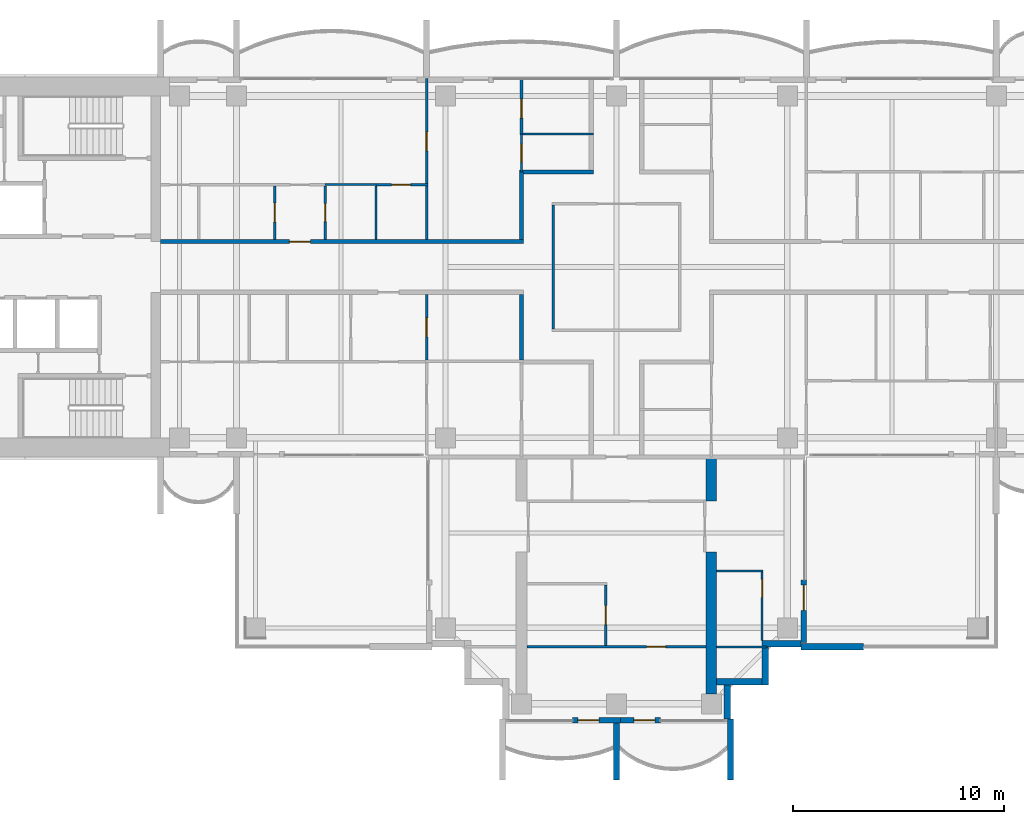
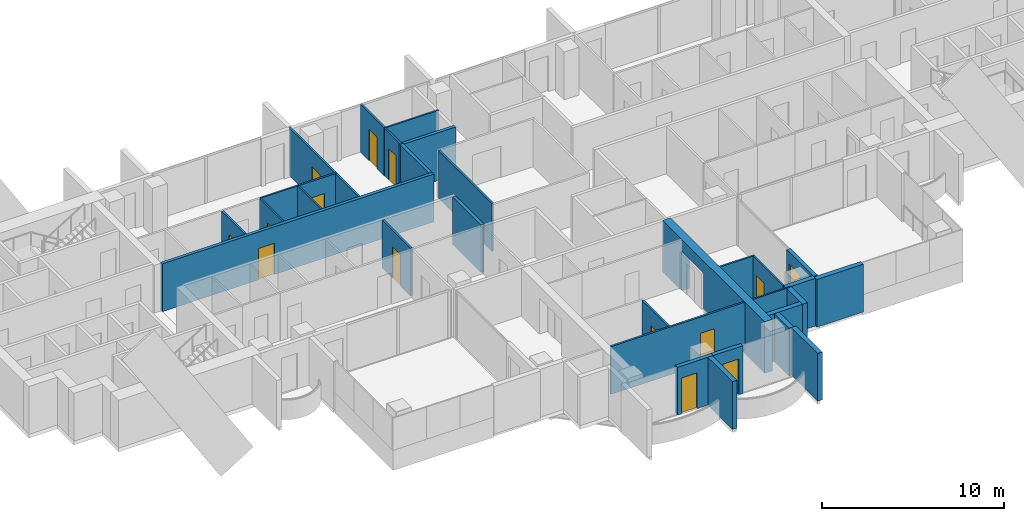
# One storey, part 10 of 18: 31 walls, 14 doors, 14 openings.
"""IFC4 building model written with IfcOpenShell, lengths in metres."""

from ifc_helpers import new_model, si_unit, direction, frame, frame_2d, origin, place, context, subcontext, project, spatial, polyline, rectangle, outline, extrude, material, layer, layer_set, material_profile, profile_set, type_object, element, fill, save


model = new_model("IFC4")

# Units and contexts
model_context = context("Model", 3, precision=1e-05, world=origin(), true_north=direction((0.0, 1.0)))
body_context = subcontext(model_context, "Body", "Model", "MODEL_VIEW")
ifc_project = project(units=[si_unit("LENGTHUNIT", "METRE"), si_unit("AREAUNIT", "SQUARE_METRE"), si_unit("VOLUMEUNIT", "CUBIC_METRE"), si_unit("PLANEANGLEUNIT", "RADIAN"), si_unit("MASSUNIT", "GRAM", prefix="KILO")], contexts=[model_context])

# Site, building, storey
site_placement = place(None, origin())
site = spatial("IfcSite", under=ifc_project, at=site_placement, CompositionType="ELEMENT")
building_placement = place(site_placement, origin())
building = spatial("IfcBuilding", under=site, at=building_placement, Name="Perihelion Cross Residences", CompositionType="ELEMENT")
storey_placement = place(building_placement, frame((0.0, 0.0, 219.10009765625)))
storey = spatial("IfcBuildingStorey", under=building, at=storey_placement, Name="L55", CompositionType="ELEMENT", Elevation=219.10009765625)

# Wall, opening, door
ifc_material_1 = material(Name="Plasterboard partition")
ifc_layer_1 = layer(ifc_material_1, 0.199951171875)
ifc_layer_set_1 = layer_set([ifc_layer_1], Name="Apartment separation wall 200")
wall_type_1 = type_object("IfcWallType", Name="Apartment separation wall 200", PredefinedType="PARTITIONING", material=ifc_layer_set_1)
wall_1_placement = place(storey_placement, frame((-21.60009765625, 1.199951171875, 0.0), z_axis=(0.0, 0.0, 1.0), x_axis=(1.0, 0.0, 0.0)))
wall_1 = element("IfcWall", 1, at=wall_1_placement, inside=storey, type_object=wall_type_1, Name="Partition L55 W013", PredefinedType="PARTITIONING", context=body_context, shape_type="SweptSolid", body=[
    extrude(rectangle(XDim=17.2001953125, YDim=0.199951171875, at=frame_2d((8.60009765625, 0.0))), origin(), (0.0, 0.0, 1.0), 3.199951171875),
])
opening_1_placement = place(wall_1_placement, frame((6.10009765625, 0.0, 0.0)))
opening_1 = element("IfcOpeningElement", 2, at=opening_1_placement, cuts=wall_1, Name="Opening L55.A43", PredefinedType="OPENING", context=body_context, shape_type="SweptSolid", body=[
    extrude(rectangle(XDim=1.0, YDim=2.10009765625, at=frame_2d((0.5, 1.050048828125))), frame((0.0, 0.10986328125, 0.0), z_axis=(0.0, -1.0, 0.0), x_axis=(1.0, 0.0, 0.0)), (0.0, 0.0, 1.0), 0.219970703125),
])
ifc_material_2 = material(Name="Timber door leaf", Category="wood")
door_type_1 = type_object("IfcDoorType", Name="Flat entrance door 1000 x 2100", OperationType="SINGLE_SWING_LEFT", PredefinedType="DOOR", material=ifc_material_2)
door_1_placement = place(opening_1_placement, origin())
door_1 = element("IfcDoor", 3, at=door_1_placement, inside=storey, type_object=door_type_1, Name="Door L55.A43", OperationType="SINGLE_SWING_LEFT", OverallHeight=2.10009765625, OverallWidth=1.0, PredefinedType="DOOR", context=body_context, shape_type="SweptSolid", body=[
    extrude(rectangle(XDim=1.0, YDim=2.10009765625, at=frame_2d((0.5, 1.050048828125))), frame((0.0, 0.02490234375, 0.0), z_axis=(0.0, -1.0, 0.0), x_axis=(1.0, 0.0, 0.0)), (0.0, 0.0, 1.0), 0.050048828125),
])
fill(opening_1, door_1)

# Walls
wall_2_placement = place(storey_placement, frame((-4.5, 1.300048828125, 0.0), z_axis=(0.0, 0.0, 1.0), x_axis=(0.0, 1.0, 0.0)))
element("IfcWall", 4, at=wall_2_placement, inside=storey, type_object=wall_type_1, Name="Partition L55 W014", PredefinedType="PARTITIONING", context=body_context, shape_type="SweptSolid", body=[
    extrude(rectangle(XDim=3.199951171875, YDim=0.199951171875, at=frame_2d((1.60009765625, 0.0))), origin(), (0.0, 0.0, 1.0), 3.199951171875),
])
wall_3_placement = place(storey_placement, frame((-4.60009765625, 4.5, 0.0), z_axis=(0.0, 0.0, 1.0), x_axis=(1.0, 0.0, 0.0)))
element("IfcWall", 5, at=wall_3_placement, inside=storey, type_object=wall_type_1, Name="Partition L55 W015", PredefinedType="PARTITIONING", context=body_context, shape_type="SweptSolid", body=[
    extrude(rectangle(XDim=3.5, YDim=0.199951171875, at=frame_2d((1.75, 0.0))), origin(), (0.0, 0.0, 1.0), 3.199951171875),
])
wall_4_placement = place(storey_placement, frame((-4.5, -4.416015625, 0.0), z_axis=(0.0, 0.0, 1.0), x_axis=(0.0, 1.0, 0.0)))
element("IfcWall", 6, at=wall_4_placement, inside=storey, type_object=wall_type_1, Name="Partition L55 W018", PredefinedType="PARTITIONING", context=body_context, shape_type="SweptSolid", body=[
    extrude(rectangle(XDim=3.115966796875, YDim=0.199951171875, at=frame_2d((1.55810546875, 0.0))), origin(), (0.0, 0.0, 1.0), 3.199951171875),
])

# Wall, opening, door
ifc_material_3 = material(Name="Concrete C30/37, bronze-clad", Category="concrete")
ifc_layer_2 = layer(ifc_material_3, 0.25)
ifc_layer_set_2 = layer_set([ifc_layer_2], Name="Bronze-clad pier wall 250")
wall_type_2 = type_object("IfcWallType", Name="Bronze-clad pier wall 250", PredefinedType="SOLIDWALL", material=ifc_layer_set_2)
wall_5_placement = place(storey_placement, frame((-2.074951171875, -21.47509765625, 0.0), z_axis=(0.0, 0.0, 1.0), x_axis=(1.0, 0.0, 0.0)))
wall_5 = element("IfcWall", 7, at=wall_5_placement, inside=storey, type_object=wall_type_2, Name="Wall FW1 L55 south tip south bay 1 pier", PredefinedType="SOLIDWALL", context=body_context, shape_type="SweptSolid", body=[
    extrude(rectangle(XDim=2.27490234375, YDim=0.25, at=frame_2d((1.137451171875, 0.0))), origin(), (0.0, 0.0, 1.0), 3.199951171875),
])
opening_2_placement = place(wall_5_placement, frame((0.25, 0.0, 0.0)))
opening_2 = element("IfcOpeningElement", 8, at=opening_2_placement, cuts=wall_5, Name="Opening L55.E10", PredefinedType="OPENING", context=body_context, shape_type="SweptSolid", body=[
    extrude(rectangle(XDim=1.0, YDim=2.39990234375, at=frame_2d((0.5, 1.199951171875))), frame((0.0, 0.135009765625, 0.0), z_axis=(0.0, -1.0, 0.0), x_axis=(1.0, 0.0, 0.0)), (0.0, 0.0, 1.0), 0.27001953125),
])
ifc_material_4 = material(Name="Bronze anodised aluminium, glazed", Category="aluminium")
door_type_2 = type_object("IfcDoorType", Name="Balcony door 1000 x 2400", OperationType="NOTDEFINED", PredefinedType="DOOR", material=ifc_material_4)
door_2_placement = place(opening_2_placement, origin())
door_2 = element("IfcDoor", 9, at=door_2_placement, inside=storey, type_object=door_type_2, Name="Door L55.E10 south tip south bay 1", OperationType="SINGLE_SWING_RIGHT", OverallHeight=2.39990234375, OverallWidth=1.0, PredefinedType="DOOR", context=body_context, shape_type="SweptSolid", body=[
    extrude(rectangle(XDim=1.0, YDim=2.39990234375, at=frame_2d((0.5, 1.199951171875))), frame((0.0, 0.02490234375, 0.0), z_axis=(0.0, -1.0, 0.0), x_axis=(1.0, 0.0, 0.0)), (0.0, 0.0, 1.0), 0.050048828125),
])
fill(opening_2, door_2)

wall_6_placement = place(storey_placement, frame((0.199951171875, -21.47509765625, 0.0), z_axis=(0.0, 0.0, 1.0), x_axis=(1.0, 0.0, 0.0)))
wall_6 = element("IfcWall", 10, at=wall_6_placement, inside=storey, type_object=wall_type_2, Name="Wall FW1 L55 south tip south bay 2 pier", PredefinedType="SOLIDWALL", context=body_context, shape_type="SweptSolid", body=[
    extrude(rectangle(XDim=1.875, YDim=0.25, at=frame_2d((0.9375, 0.0))), origin(), (0.0, 0.0, 1.0), 3.199951171875),
])
opening_3_placement = place(wall_6_placement, frame((0.625, 0.0, 0.0)))
opening_3 = element("IfcOpeningElement", 11, at=opening_3_placement, cuts=wall_6, Name="Opening L55.E11", PredefinedType="OPENING", context=body_context, shape_type="SweptSolid", body=[
    extrude(rectangle(XDim=1.0, YDim=2.39990234375, at=frame_2d((0.5, 1.199951171875))), frame((0.0, 0.135009765625, 0.0), z_axis=(0.0, -1.0, 0.0), x_axis=(1.0, 0.0, 0.0)), (0.0, 0.0, 1.0), 0.27001953125),
])
door_3_placement = place(opening_3_placement, origin())
door_3 = element("IfcDoor", 12, at=door_3_placement, inside=storey, type_object=door_type_2, Name="Door L55.E11 south tip south bay 2", OperationType="SINGLE_SWING_LEFT", OverallHeight=2.39990234375, OverallWidth=1.0, PredefinedType="DOOR", context=body_context, shape_type="SweptSolid", body=[
    extrude(rectangle(XDim=1.0, YDim=2.39990234375, at=frame_2d((0.5, 1.199951171875))), frame((0.0, 0.02490234375, 0.0), z_axis=(0.0, -1.0, 0.0), x_axis=(1.0, 0.0, 0.0)), (0.0, 0.0, 1.0), 0.050048828125),
])
fill(opening_3, door_3)

wall_7_placement = place(storey_placement, frame((8.875, -17.800048828125, 0.0), z_axis=(0.0, 0.0, 1.0), x_axis=(0.0, 1.0, 0.0)))
wall_7 = element("IfcWall", 13, at=wall_7_placement, inside=storey, type_object=wall_type_2, Name="Wall FW1 L55 south side east bay 1 pier", PredefinedType="SOLIDWALL", context=body_context, shape_type="SweptSolid", body=[
    extrude(rectangle(XDim=2.97509765625, YDim=0.25, at=frame_2d((1.487548828125, 0.0))), origin(), (0.0, 0.0, 1.0), 3.199951171875),
])
opening_4_placement = place(wall_7_placement, frame((1.52490234375, 0.0, 0.0)))
opening_4 = element("IfcOpeningElement", 14, at=opening_4_placement, cuts=wall_7, Name="Opening L55.E12", PredefinedType="OPENING", context=body_context, shape_type="SweptSolid", body=[
    extrude(rectangle(XDim=1.199951171875, YDim=2.39990234375, at=frame_2d((0.60009765625, 1.199951171875))), frame((0.0, 0.135009765625, 0.0), z_axis=(0.0, -1.0, 0.0), x_axis=(1.0, 0.0, 0.0)), (0.0, 0.0, 1.0), 0.27001953125),
])
ifc_material_5 = material(Name="Bronze anodised aluminium, glazed", Category="aluminium")
door_type_3 = type_object("IfcDoorType", Name="Balcony door 1200 x 2400", OperationType="NOTDEFINED", PredefinedType="DOOR", material=ifc_material_5)
door_4_placement = place(opening_4_placement, origin())
door_4 = element("IfcDoor", 15, at=door_4_placement, inside=storey, type_object=door_type_3, Name="Door L55.E12 south side east bay 1", OperationType="SINGLE_SWING_RIGHT", OverallHeight=2.39990234375, OverallWidth=1.199951171875, PredefinedType="DOOR", context=body_context, shape_type="SweptSolid", body=[
    extrude(rectangle(XDim=1.199951171875, YDim=2.39990234375, at=frame_2d((0.60009765625, 1.199951171875))), frame((0.0, 0.02490234375, 0.0), z_axis=(0.0, -1.0, 0.0), x_axis=(1.0, 0.0, 0.0)), (0.0, 0.0, 1.0), 0.050048828125),
])
fill(opening_4, door_4)

# Walls
ifc_material_6 = material(Name="Concrete C30/37, bronze-clad", Category="concrete")
ifc_layer_3 = layer(ifc_material_6, 0.300048828125)
ifc_layer_set_3 = layer_set([ifc_layer_3], Name="Bronze-clad serration wall 300")
wall_type_3 = type_object("IfcWallType", Name="Bronze-clad serration wall 300", PredefinedType="SOLIDWALL", material=ifc_layer_set_3)
wall_8_placement = place(storey_placement, frame((5.25, -21.419921875, 0.0), z_axis=(0.0, 0.0, 1.0), x_axis=(0.0, 1.0, 0.0)))
element("IfcWall", 16, at=wall_8_placement, inside=storey, type_object=wall_type_3, Name="Wall SR1 L55 south corner south-east 1", PredefinedType="SOLIDWALL", context=body_context, shape_type="SweptSolid", body=[
    extrude(rectangle(XDim=1.619873046875, YDim=0.300048828125, at=frame_2d((0.81005859375, 0.0))), origin(), (0.0, 0.0, 1.0), 3.199951171875),
])
wall_9_placement = place(storey_placement, frame((4.75, -19.64990234375, 0.0), z_axis=(0.0, 0.0, 1.0), x_axis=(1.0, 0.0, 0.0)))
element("IfcWall", 17, at=wall_9_placement, inside=storey, type_object=wall_type_3, Name="Wall SR1 L55 south corner south-east 2", PredefinedType="SOLIDWALL", context=body_context, shape_type="SweptSolid", body=[
    extrude(rectangle(XDim=2.14990234375, YDim=0.300048828125, at=frame_2d((1.074951171875, 0.0))), origin(), (0.0, 0.0, 1.0), 3.199951171875),
])
wall_10_placement = place(storey_placement, frame((7.050048828125, -19.800048828125, 0.0), z_axis=(0.0, 0.0, 1.0), x_axis=(0.0, 1.0, 0.0)))
element("IfcWall", 18, at=wall_10_placement, inside=storey, type_object=wall_type_3, Name="Wall SR1 L55 south corner south-east 3", PredefinedType="SOLIDWALL", context=body_context, shape_type="SweptSolid", body=[
    extrude(rectangle(XDim=1.800048828125, YDim=0.300048828125, at=frame_2d((0.89990234375, 0.0))), origin(), (0.0, 0.0, 1.0), 3.199951171875),
])
wall_11_placement = place(storey_placement, frame((6.89990234375, -17.85009765625, 0.0), z_axis=(0.0, 0.0, 1.0), x_axis=(1.0, 0.0, 0.0)))
element("IfcWall", 19, at=wall_11_placement, inside=storey, type_object=wall_type_3, Name="Wall SR1 L55 south corner south-east 4", PredefinedType="SOLIDWALL", context=body_context, shape_type="SweptSolid", body=[
    extrude(rectangle(XDim=1.85009765625, YDim=0.300048828125, at=frame_2d((0.925048828125, 0.0))), origin(), (0.0, 0.0, 1.0), 3.199951171875),
])
ifc_material_7 = material(Name="Plasterboard partition")
ifc_layer_4 = layer(ifc_material_7, 0.1201171875)
ifc_layer_set_4 = layer_set([ifc_layer_4], Name="Partition wall 120")
wall_type_4 = type_object("IfcWallType", Name="Partition wall 120", PredefinedType="PARTITIONING", material=ifc_layer_set_4)
wall_12_placement = place(storey_placement, frame((-3.0, 2.93994140625, 0.0), z_axis=(0.0, 0.0, 1.0), x_axis=(0.0, -1.0, 0.0)))
element("IfcWall", 20, at=wall_12_placement, inside=storey, type_object=wall_type_4, Name="Partition L55 W004", PredefinedType="PARTITIONING", context=body_context, shape_type="SweptSolid", body=[
    extrude(rectangle(XDim=5.8798828125, YDim=0.1201171875, at=frame_2d((2.93994140625, 0.0))), origin(), (0.0, 0.0, 1.0), 3.199951171875),
])

# Wall, opening, door
wall_13_placement = place(storey_placement, frame((-11.39990234375, 3.89990234375, 0.0), z_axis=(0.0, 0.0, 1.0), x_axis=(1.0, 0.0, 0.0)))
wall_13 = element("IfcWall", 21, at=wall_13_placement, inside=storey, type_object=wall_type_4, Name="Partition L55 W048", PredefinedType="PARTITIONING", context=body_context, shape_type="SweptSolid", body=[
    extrude(rectangle(XDim=2.4599609375, YDim=0.1201171875, at=frame_2d((1.22998046875, 0.0))), origin(), (0.0, 0.0, 1.0), 3.199951171875),
])
opening_5_placement = place(wall_13_placement, frame((0.75, 0.0, 0.0)))
opening_5 = element("IfcOpeningElement", 22, at=opening_5_placement, cuts=wall_13, Name="Opening L55.A26", PredefinedType="OPENING", context=body_context, shape_type="SweptSolid", body=[
    extrude(rectangle(XDim=0.89990234375, YDim=2.10009765625, at=frame_2d((0.449951171875, 1.050048828125))), frame((0.0, 0.070068359375, 0.0), z_axis=(0.0, -1.0, 0.0), x_axis=(1.0, 0.0, 0.0)), (0.0, 0.0, 1.0), 0.14013671875),
])
ifc_material_8 = material(Name="Timber door leaf", Category="wood")
door_type_4 = type_object("IfcDoorType", Name="Interior room door 900 x 2100", OperationType="SINGLE_SWING_LEFT", PredefinedType="DOOR", material=ifc_material_8)
door_5_placement = place(opening_5_placement, origin())
door_5 = element("IfcDoor", 23, at=door_5_placement, inside=storey, type_object=door_type_4, Name="Door L55.A26", OperationType="SINGLE_SWING_LEFT", OverallHeight=2.10009765625, OverallWidth=0.89990234375, PredefinedType="DOOR", context=body_context, shape_type="SweptSolid", body=[
    extrude(rectangle(XDim=0.89990234375, YDim=2.10009765625, at=frame_2d((0.449951171875, 1.050048828125))), frame((0.0, 0.02490234375, 0.0), z_axis=(0.0, -1.0, 0.0), x_axis=(1.0, 0.0, 0.0)), (0.0, 0.0, 1.0), 0.050048828125),
])
fill(opening_5, door_5)

wall_14_placement = place(storey_placement, frame((-9.0, 8.919921875, 0.0), z_axis=(0.0, 0.0, 1.0), x_axis=(0.0, -1.0, 0.0)))
wall_14 = element("IfcWall", 24, at=wall_14_placement, inside=storey, type_object=wall_type_4, Name="Partition L55 W049", PredefinedType="PARTITIONING", context=body_context, shape_type="SweptSolid", body=[
    extrude(rectangle(XDim=7.619873046875, YDim=0.1201171875, at=frame_2d((3.81005859375, 0.0))), origin(), (0.0, 0.0, 1.0), 3.199951171875),
])
opening_6_placement = place(wall_14_placement, frame((2.52001953125, 0.0, 0.0)))
opening_6 = element("IfcOpeningElement", 25, at=opening_6_placement, cuts=wall_14, Name="Opening L55.A22", PredefinedType="OPENING", context=body_context, shape_type="SweptSolid", body=[
    extrude(rectangle(XDim=0.89990234375, YDim=2.10009765625, at=frame_2d((0.449951171875, 1.050048828125))), frame((0.0, 0.070068359375, 0.0), z_axis=(0.0, -1.0, 0.0), x_axis=(1.0, 0.0, 0.0)), (0.0, 0.0, 1.0), 0.14013671875),
])
door_6_placement = place(opening_6_placement, origin())
door_6 = element("IfcDoor", 26, at=door_6_placement, inside=storey, type_object=door_type_4, Name="Door L55.A22", OperationType="SINGLE_SWING_RIGHT", OverallHeight=2.10009765625, OverallWidth=0.89990234375, PredefinedType="DOOR", context=body_context, shape_type="SweptSolid", body=[
    extrude(rectangle(XDim=0.89990234375, YDim=2.10009765625, at=frame_2d((0.449951171875, 1.050048828125))), frame((0.0, 0.02490234375, 0.0), z_axis=(0.0, -1.0, 0.0), x_axis=(1.0, 0.0, 0.0)), (0.0, 0.0, 1.0), 0.050048828125),
])
fill(opening_6, door_6)

wall_15_placement = place(storey_placement, frame((-16.199951171875, 1.300048828125, 0.0), z_axis=(0.0, 0.0, 1.0), x_axis=(0.0, 1.0, 0.0)))
wall_15 = element("IfcWall", 27, at=wall_15_placement, inside=storey, type_object=wall_type_4, Name="Partition L55 W052", PredefinedType="PARTITIONING", context=body_context, shape_type="SweptSolid", body=[
    extrude(rectangle(XDim=2.5400390625, YDim=0.1201171875, at=frame_2d((1.27001953125, 0.0))), origin(), (0.0, 0.0, 1.0), 3.199951171875),
])
opening_7_placement = place(wall_15_placement, frame((0.820068359375, 0.0, 0.0)))
opening_7 = element("IfcOpeningElement", 28, at=opening_7_placement, cuts=wall_15, Name="Opening L55.A20", PredefinedType="OPENING", context=body_context, shape_type="SweptSolid", body=[
    extrude(rectangle(XDim=0.89990234375, YDim=2.10009765625, at=frame_2d((0.449951171875, 1.050048828125))), frame((0.0, 0.070068359375, 0.0), z_axis=(0.0, -1.0, 0.0), x_axis=(1.0, 0.0, 0.0)), (0.0, 0.0, 1.0), 0.14013671875),
])
door_7_placement = place(opening_7_placement, origin())
door_7 = element("IfcDoor", 29, at=door_7_placement, inside=storey, type_object=door_type_4, Name="Door L55.A20", OperationType="SINGLE_SWING_LEFT", OverallHeight=2.10009765625, OverallWidth=0.89990234375, PredefinedType="DOOR", context=body_context, shape_type="SweptSolid", body=[
    extrude(rectangle(XDim=0.89990234375, YDim=2.10009765625, at=frame_2d((0.449951171875, 1.050048828125))), frame((0.0, 0.02490234375, 0.0), z_axis=(0.0, -1.0, 0.0), x_axis=(1.0, 0.0, 0.0)), (0.0, 0.0, 1.0), 0.050048828125),
])
fill(opening_7, door_7)

wall_16_placement = place(storey_placement, frame((-4.5, 8.919921875, 0.0), z_axis=(0.0, 0.0, 1.0), x_axis=(0.0, -1.0, 0.0)))
wall_16 = element("IfcWall", 30, at=wall_16_placement, inside=storey, type_object=wall_type_4, Name="Partition L55 W056", PredefinedType="PARTITIONING", context=body_context, shape_type="SweptSolid", body=[
    extrude(rectangle(XDim=2.619873046875, YDim=0.1201171875, at=frame_2d((1.31005859375, 0.0))), origin(), (0.0, 0.0, 1.0), 3.199951171875),
])
opening_8_placement = place(wall_16_placement, frame((0.969970703125, 0.0, 0.0)))
opening_8 = element("IfcOpeningElement", 31, at=opening_8_placement, cuts=wall_16, Name="Opening L55.A23", PredefinedType="OPENING", context=body_context, shape_type="SweptSolid", body=[
    extrude(rectangle(XDim=0.89990234375, YDim=2.10009765625, at=frame_2d((0.449951171875, 1.050048828125))), frame((0.0, 0.070068359375, 0.0), z_axis=(0.0, -1.0, 0.0), x_axis=(1.0, 0.0, 0.0)), (0.0, 0.0, 1.0), 0.14013671875),
])
door_8_placement = place(opening_8_placement, origin())
door_8 = element("IfcDoor", 32, at=door_8_placement, inside=storey, type_object=door_type_4, Name="Door L55.A23", OperationType="SINGLE_SWING_LEFT", OverallHeight=2.10009765625, OverallWidth=0.89990234375, PredefinedType="DOOR", context=body_context, shape_type="SweptSolid", body=[
    extrude(rectangle(XDim=0.89990234375, YDim=2.10009765625, at=frame_2d((0.449951171875, 1.050048828125))), frame((0.0, 0.02490234375, 0.0), z_axis=(0.0, -1.0, 0.0), x_axis=(1.0, 0.0, 0.0)), (0.0, 0.0, 1.0), 0.050048828125),
])
fill(opening_8, door_8)

wall_17_placement = place(storey_placement, frame((-9.0, -1.300048828125, 0.0), z_axis=(0.0, 0.0, 1.0), x_axis=(0.0, -1.0, 0.0)))
wall_17 = element("IfcWall", 33, at=wall_17_placement, inside=storey, type_object=wall_type_4, Name="Partition L55 W060", PredefinedType="PARTITIONING", context=body_context, shape_type="SweptSolid", body=[
    extrude(rectangle(XDim=3.115966796875, YDim=0.1201171875, at=frame_2d((1.55810546875, 0.0))), origin(), (0.0, 0.0, 1.0), 3.199951171875),
])
opening_9_placement = place(wall_17_placement, frame((1.10791015625, 0.0, 0.0)))
opening_9 = element("IfcOpeningElement", 34, at=opening_9_placement, cuts=wall_17, Name="Opening L55.A30", PredefinedType="OPENING", context=body_context, shape_type="SweptSolid", body=[
    extrude(rectangle(XDim=0.89990234375, YDim=2.10009765625, at=frame_2d((0.449951171875, 1.050048828125))), frame((0.0, 0.070068359375, 0.0), z_axis=(0.0, -1.0, 0.0), x_axis=(1.0, 0.0, 0.0)), (0.0, 0.0, 1.0), 0.14013671875),
])
door_9_placement = place(opening_9_placement, origin())
door_9 = element("IfcDoor", 35, at=door_9_placement, inside=storey, type_object=door_type_4, Name="Door L55.A30", OperationType="SINGLE_SWING_RIGHT", OverallHeight=2.10009765625, OverallWidth=0.89990234375, PredefinedType="DOOR", context=body_context, shape_type="SweptSolid", body=[
    extrude(rectangle(XDim=0.89990234375, YDim=2.10009765625, at=frame_2d((0.449951171875, 1.050048828125))), frame((0.0, 0.02490234375, 0.0), z_axis=(0.0, -1.0, 0.0), x_axis=(1.0, 0.0, 0.0)), (0.0, 0.0, 1.0), 0.050048828125),
])
fill(opening_9, door_9)

wall_18_placement = place(storey_placement, frame((-0.5, -17.93994140625, 0.0), z_axis=(0.0, 0.0, 1.0), x_axis=(0.0, 1.0, 0.0)))
wall_18 = element("IfcWall", 36, at=wall_18_placement, inside=storey, type_object=wall_type_4, Name="Partition L55 W072", PredefinedType="PARTITIONING", context=body_context, shape_type="SweptSolid", body=[
    extrude(rectangle(XDim=2.8798828125, YDim=0.1201171875, at=frame_2d((1.43994140625, 0.0))), origin(), (0.0, 0.0, 1.0), 3.199951171875),
])
opening_10_placement = place(wall_18_placement, frame((0.989990234375, 0.0, 0.0)))
opening_10 = element("IfcOpeningElement", 37, at=opening_10_placement, cuts=wall_18, Name="Opening L55.A38", PredefinedType="OPENING", context=body_context, shape_type="SweptSolid", body=[
    extrude(rectangle(XDim=0.89990234375, YDim=2.10009765625, at=frame_2d((0.449951171875, 1.050048828125))), frame((0.0, 0.070068359375, 0.0), z_axis=(0.0, -1.0, 0.0), x_axis=(1.0, 0.0, 0.0)), (0.0, 0.0, 1.0), 0.14013671875),
])
door_10_placement = place(opening_10_placement, origin())
door_10 = element("IfcDoor", 38, at=door_10_placement, inside=storey, type_object=door_type_4, Name="Door L55.A38", OperationType="SINGLE_SWING_RIGHT", OverallHeight=2.10009765625, OverallWidth=0.89990234375, PredefinedType="DOOR", context=body_context, shape_type="SweptSolid", body=[
    extrude(rectangle(XDim=0.89990234375, YDim=2.10009765625, at=frame_2d((0.449951171875, 1.050048828125))), frame((0.0, 0.02490234375, 0.0), z_axis=(0.0, -1.0, 0.0), x_axis=(1.0, 0.0, 0.0)), (0.0, 0.0, 1.0), 0.050048828125),
])
fill(opening_10, door_10)

wall_19_placement = place(storey_placement, frame((4.25, -18.0, 0.0), z_axis=(0.0, 0.0, 1.0), x_axis=(-1.0, 0.0, 0.0)))
wall_19 = element("IfcWall", 39, at=wall_19_placement, inside=storey, type_object=wall_type_4, Name="Partition L55 W074", PredefinedType="PARTITIONING", context=body_context, shape_type="SweptSolid", body=[
    extrude(rectangle(XDim=8.5, YDim=0.1201171875, at=frame_2d((4.25, 0.0))), origin(), (0.0, 0.0, 1.0), 3.199951171875),
])
opening_11_placement = place(wall_19_placement, frame((1.925048828125, 0.0, 0.0)))
opening_11 = element("IfcOpeningElement", 40, at=opening_11_placement, cuts=wall_19, Name="Opening L55.A39", PredefinedType="OPENING", context=body_context, shape_type="SweptSolid", body=[
    extrude(rectangle(XDim=0.89990234375, YDim=2.10009765625, at=frame_2d((0.449951171875, 1.050048828125))), frame((0.0, 0.070068359375, 0.0), z_axis=(0.0, -1.0, 0.0), x_axis=(1.0, 0.0, 0.0)), (0.0, 0.0, 1.0), 0.14013671875),
])
door_11_placement = place(opening_11_placement, origin())
door_11 = element("IfcDoor", 41, at=door_11_placement, inside=storey, type_object=door_type_4, Name="Door L55.A39", OperationType="SINGLE_SWING_RIGHT", OverallHeight=2.10009765625, OverallWidth=0.89990234375, PredefinedType="DOOR", context=body_context, shape_type="SweptSolid", body=[
    extrude(rectangle(XDim=0.89990234375, YDim=2.10009765625, at=frame_2d((0.449951171875, 1.050048828125))), frame((0.0, 0.02490234375, 0.0), z_axis=(0.0, -1.0, 0.0), x_axis=(1.0, 0.0, 0.0)), (0.0, 0.0, 1.0), 0.050048828125),
])
fill(opening_11, door_11)

# Walls
ifc_material_9 = material(Name="Precast concrete C50/60", Category="concrete")
ifc_layer_5 = layer(ifc_material_9, 0.300048828125)
ifc_layer_set_5 = layer_set([ifc_layer_5], Name="Precast concrete C50/60 blade wall 300")
wall_type_5 = type_object("IfcWallType", Name="Precast concrete C50/60 blade wall 300", PredefinedType="SOLIDWALL", material=ifc_layer_set_5)
wall_20_placement = place(storey_placement, frame((0.0, -21.60009765625, 0.0), z_axis=(0.0, 0.0, 1.0), x_axis=(0.0, -1.0, 0.0)))
element("IfcWall", 42, at=wall_20_placement, inside=storey, type_object=wall_type_5, Name="Wall BL1 L55 no. 8", PredefinedType="SOLIDWALL", context=body_context, shape_type="SweptSolid", body=[
    extrude(rectangle(XDim=2.699951171875, YDim=0.300048828125, at=frame_2d((1.35009765625, 0.0))), origin(), (0.0, 0.0, 1.0), 3.199951171875),
])
wall_21_placement = place(storey_placement, frame((5.39990234375, -21.419921875, 0.0), z_axis=(0.0, 0.0, 1.0), x_axis=(0.0, -1.0, 0.0)))
element("IfcWall", 43, at=wall_21_placement, inside=storey, type_object=wall_type_5, Name="Wall BL1 L55 no. 14", PredefinedType="SOLIDWALL", context=body_context, shape_type="SweptSolid", body=[
    extrude(rectangle(XDim=2.880126953125, YDim=0.300048828125, at=frame_2d((1.43994140625, 0.0))), origin(), (0.0, 0.0, 1.0), 3.199951171875),
])
wall_22_placement = place(storey_placement, frame((8.75, -18.0, 0.0), z_axis=(0.0, 0.0, 1.0), x_axis=(1.0, 0.0, 0.0)))
element("IfcWall", 44, at=wall_22_placement, inside=storey, type_object=wall_type_5, Name="Wall BL1 L55 no. 15", PredefinedType="SOLIDWALL", context=body_context, shape_type="SweptSolid", body=[
    extrude(rectangle(XDim=2.949951171875, YDim=0.300048828125, at=frame_2d((1.47509765625, 0.0))), origin(), (0.0, 0.0, 1.0), 3.199951171875),
])
ifc_material_10 = material(Name="Concrete C60/75", Category="concrete")
ifc_material_profile = material_profile(ifc_material_10, outline(polyline([(0.0, 0.0), (6.72509765625, 0.0), (6.72509765625, 2.64990234375), (9.125, 2.64990234375), (9.125, 0.0), (11.22509765625, 0.0), (11.22509765625, 3.449951171875), (0.0, 3.449951171875), (0.0, 0.0)])), Name="Tip spine wall")
ifc_profile_set = profile_set([ifc_material_profile], Name="Concrete C60/75")
wall_type_6 = type_object("IfcWallType", Name="Tip spine wall 500 with 1 door openings 11225 long 3450 high concrete C60/75", PredefinedType="SHEAR", material=ifc_profile_set)
wall_23_placement = place(storey_placement, frame((4.25, -20.22509765625, -0.25), z_axis=(1.0, 0.0, 0.0), x_axis=(0.0, 1.0, 0.0)))
element("IfcWall", 45, at=wall_23_placement, inside=storey, type_object=wall_type_6, Name="Shear wall SW42 L55 south east", PredefinedType="SHEAR", context=body_context, shape_type="SweptSolid", body=[
    extrude(outline(polyline([(0.0, 0.0), (6.72509765625, 0.0), (6.72509765625, 2.64990234375), (9.125, 2.64990234375), (9.125, 0.0), (11.22509765625, 0.0), (11.22509765625, 3.449951171875), (0.0, 3.449951171875), (0.0, 0.0)])), origin(), (0.0, 0.0, 1.0), 0.5),
])
ifc_material_11 = material(Name="Plasterboard partition")
ifc_layer_6 = layer(ifc_material_11, 0.10009765625)
ifc_layer_set_6 = layer_set([ifc_layer_6], Name="Wet room wall 100")
wall_type_7 = type_object("IfcWallType", Name="Wet room wall 100", PredefinedType="PARTITIONING", material=ifc_layer_set_6)
wall_24_placement = place(storey_placement, frame((-11.39990234375, 1.300048828125, 0.0), z_axis=(0.0, 0.0, 1.0), x_axis=(0.0, 1.0, 0.0)))
element("IfcWall", 46, at=wall_24_placement, inside=storey, type_object=wall_type_7, Name="Partition L55 W047", PredefinedType="PARTITIONING", context=body_context, shape_type="SweptSolid", body=[
    extrude(rectangle(XDim=2.5400390625, YDim=0.10009765625, at=frame_2d((1.27001953125, 0.0))), origin(), (0.0, 0.0, 1.0), 3.199951171875),
])

# Wall, opening, door
wall_25_placement = place(storey_placement, frame((-13.800048828125, 1.300048828125, 0.0), z_axis=(0.0, 0.0, 1.0), x_axis=(0.0, 1.0, 0.0)))
wall_25 = element("IfcWall", 47, at=wall_25_placement, inside=storey, type_object=wall_type_7, Name="Partition L55 W050", PredefinedType="PARTITIONING", context=body_context, shape_type="SweptSolid", body=[
    extrude(rectangle(XDim=2.5400390625, YDim=0.10009765625, at=frame_2d((1.27001953125, 0.0))), origin(), (0.0, 0.0, 1.0), 3.199951171875),
])
opening_12_placement = place(wall_25_placement, frame((0.844970703125, 0.0, 0.0)))
opening_12 = element("IfcOpeningElement", 48, at=opening_12_placement, cuts=wall_25, Name="Opening L55.A19", PredefinedType="OPENING", context=body_context, shape_type="SweptSolid", body=[
    extrude(rectangle(XDim=0.85009765625, YDim=2.10009765625, at=frame_2d((0.425048828125, 1.050048828125))), frame((0.0, 0.06005859375, 0.0), z_axis=(0.0, -1.0, 0.0), x_axis=(1.0, 0.0, 0.0)), (0.0, 0.0, 1.0), 0.1201171875),
])
ifc_material_12 = material(Name="Timber door leaf", Category="wood")
door_type_5 = type_object("IfcDoorType", Name="Interior bathroom door 850 x 2100", OperationType="SINGLE_SWING_LEFT", PredefinedType="DOOR", material=ifc_material_12)
door_12_placement = place(opening_12_placement, origin())
door_12 = element("IfcDoor", 49, at=door_12_placement, inside=storey, type_object=door_type_5, Name="Door L55.A19", OperationType="SINGLE_SWING_RIGHT", OverallHeight=2.10009765625, OverallWidth=0.85009765625, PredefinedType="DOOR", context=body_context, shape_type="SweptSolid", body=[
    extrude(rectangle(XDim=0.85009765625, YDim=2.10009765625, at=frame_2d((0.425048828125, 1.050048828125))), frame((0.0, 0.02490234375, 0.0), z_axis=(0.0, -1.0, 0.0), x_axis=(1.0, 0.0, 0.0)), (0.0, 0.0, 1.0), 0.050048828125),
])
fill(opening_12, door_12)

# Wall
wall_26_placement = place(storey_placement, frame((-13.800048828125, 3.89990234375, 0.0), z_axis=(0.0, 0.0, 1.0), x_axis=(1.0, 0.0, 0.0)))
element("IfcWall", 50, at=wall_26_placement, inside=storey, type_object=wall_type_7, Name="Partition L55 W051", PredefinedType="PARTITIONING", context=body_context, shape_type="SweptSolid", body=[
    extrude(rectangle(XDim=2.400146484375, YDim=0.10009765625, at=frame_2d((1.2001953125, 0.0))), origin(), (0.0, 0.0, 1.0), 3.199951171875),
])

# Wall, opening, door
wall_27_placement = place(storey_placement, frame((-4.5, 6.300048828125, 0.0), z_axis=(0.0, 0.0, 1.0), x_axis=(0.0, -1.0, 0.0)))
wall_27 = element("IfcWall", 51, at=wall_27_placement, inside=storey, type_object=wall_type_7, Name="Partition L55 W055", PredefinedType="PARTITIONING", context=body_context, shape_type="SweptSolid", body=[
    extrude(rectangle(XDim=1.800048828125, YDim=0.10009765625, at=frame_2d((0.89990234375, 0.0))), origin(), (0.0, 0.0, 1.0), 3.199951171875),
])
opening_13_placement = place(wall_27_placement, frame((0.47509765625, 0.0, 0.0)))
opening_13 = element("IfcOpeningElement", 52, at=opening_13_placement, cuts=wall_27, Name="Opening L55.A24", PredefinedType="OPENING", context=body_context, shape_type="SweptSolid", body=[
    extrude(rectangle(XDim=0.85009765625, YDim=2.10009765625, at=frame_2d((0.425048828125, 1.050048828125))), frame((0.0, 0.06005859375, 0.0), z_axis=(0.0, -1.0, 0.0), x_axis=(1.0, 0.0, 0.0)), (0.0, 0.0, 1.0), 0.1201171875),
])
door_13_placement = place(opening_13_placement, origin())
door_13 = element("IfcDoor", 53, at=door_13_placement, inside=storey, type_object=door_type_5, Name="Door L55.A24", OperationType="SINGLE_SWING_LEFT", OverallHeight=2.10009765625, OverallWidth=0.85009765625, PredefinedType="DOOR", context=body_context, shape_type="SweptSolid", body=[
    extrude(rectangle(XDim=0.85009765625, YDim=2.10009765625, at=frame_2d((0.425048828125, 1.050048828125))), frame((0.0, 0.02490234375, 0.0), z_axis=(0.0, -1.0, 0.0), x_axis=(1.0, 0.0, 0.0)), (0.0, 0.0, 1.0), 0.050048828125),
])
fill(opening_13, door_13)

# Wall
wall_28_placement = place(storey_placement, frame((-4.56005859375, 6.300048828125, 0.0), z_axis=(0.0, 0.0, 1.0), x_axis=(1.0, 0.0, 0.0)))
element("IfcWall", 54, at=wall_28_placement, inside=storey, type_object=wall_type_7, Name="Partition L55 W057", PredefinedType="PARTITIONING", context=body_context, shape_type="SweptSolid", body=[
    extrude(rectangle(XDim=3.4599609375, YDim=0.10009765625, at=frame_2d((1.72998046875, 0.0))), origin(), (0.0, 0.0, 1.0), 3.199951171875),
])

# Wall, opening, door
wall_29_placement = place(storey_placement, frame((6.89990234375, -17.699951171875, 0.0), z_axis=(0.0, 0.0, 1.0), x_axis=(0.0, 1.0, 0.0)))
wall_29 = element("IfcWall", 55, at=wall_29_placement, inside=storey, type_object=wall_type_7, Name="Partition L55 W075", PredefinedType="PARTITIONING", context=body_context, shape_type="SweptSolid", body=[
    extrude(rectangle(XDim=3.25, YDim=0.10009765625, at=frame_2d((1.625, 0.0))), origin(), (0.0, 0.0, 1.0), 3.199951171875),
])
opening_14_placement = place(wall_29_placement, frame((2.050048828125, 0.0, 0.0)))
opening_14 = element("IfcOpeningElement", 56, at=opening_14_placement, cuts=wall_29, Name="Opening L55.A40", PredefinedType="OPENING", context=body_context, shape_type="SweptSolid", body=[
    extrude(rectangle(XDim=0.85009765625, YDim=2.10009765625, at=frame_2d((0.425048828125, 1.050048828125))), frame((0.0, 0.06005859375, 0.0), z_axis=(0.0, -1.0, 0.0), x_axis=(1.0, 0.0, 0.0)), (0.0, 0.0, 1.0), 0.1201171875),
])
door_14_placement = place(opening_14_placement, origin())
door_14 = element("IfcDoor", 57, at=door_14_placement, inside=storey, type_object=door_type_5, Name="Door L55.A40", OperationType="SINGLE_SWING_LEFT", OverallHeight=2.10009765625, OverallWidth=0.85009765625, PredefinedType="DOOR", context=body_context, shape_type="SweptSolid", body=[
    extrude(rectangle(XDim=0.85009765625, YDim=2.10009765625, at=frame_2d((0.425048828125, 1.050048828125))), frame((0.0, 0.02490234375, 0.0), z_axis=(0.0, -1.0, 0.0), x_axis=(1.0, 0.0, 0.0)), (0.0, 0.0, 1.0), 0.050048828125),
])
fill(opening_14, door_14)

# Walls
wall_30_placement = place(storey_placement, frame((6.949951171875, -14.39990234375, 0.0), z_axis=(0.0, 0.0, 1.0), x_axis=(-1.0, 0.0, 0.0)))
element("IfcWall", 58, at=wall_30_placement, inside=storey, type_object=wall_type_7, Name="Partition L55 W076", PredefinedType="PARTITIONING", context=body_context, shape_type="SweptSolid", body=[
    extrude(rectangle(XDim=2.199951171875, YDim=0.10009765625, at=frame_2d((1.10009765625, 0.0))), origin(), (0.0, 0.0, 1.0), 3.199951171875),
])
wall_31_placement = place(storey_placement, frame((7.1201171875, -18.0, 0.0), z_axis=(0.0, 0.0, 1.0), x_axis=(-1.0, 0.0, 0.0)))
element("IfcWall", 59, at=wall_31_placement, inside=storey, type_object=wall_type_7, Name="Partition L55 W077", PredefinedType="PARTITIONING", context=body_context, shape_type="SweptSolid", body=[
    extrude(rectangle(XDim=2.3701171875, YDim=0.10009765625, at=frame_2d((1.18505859375, 0.0))), origin(), (0.0, 0.0, 1.0), 3.199951171875),
])

save(model, "model.ifc")
